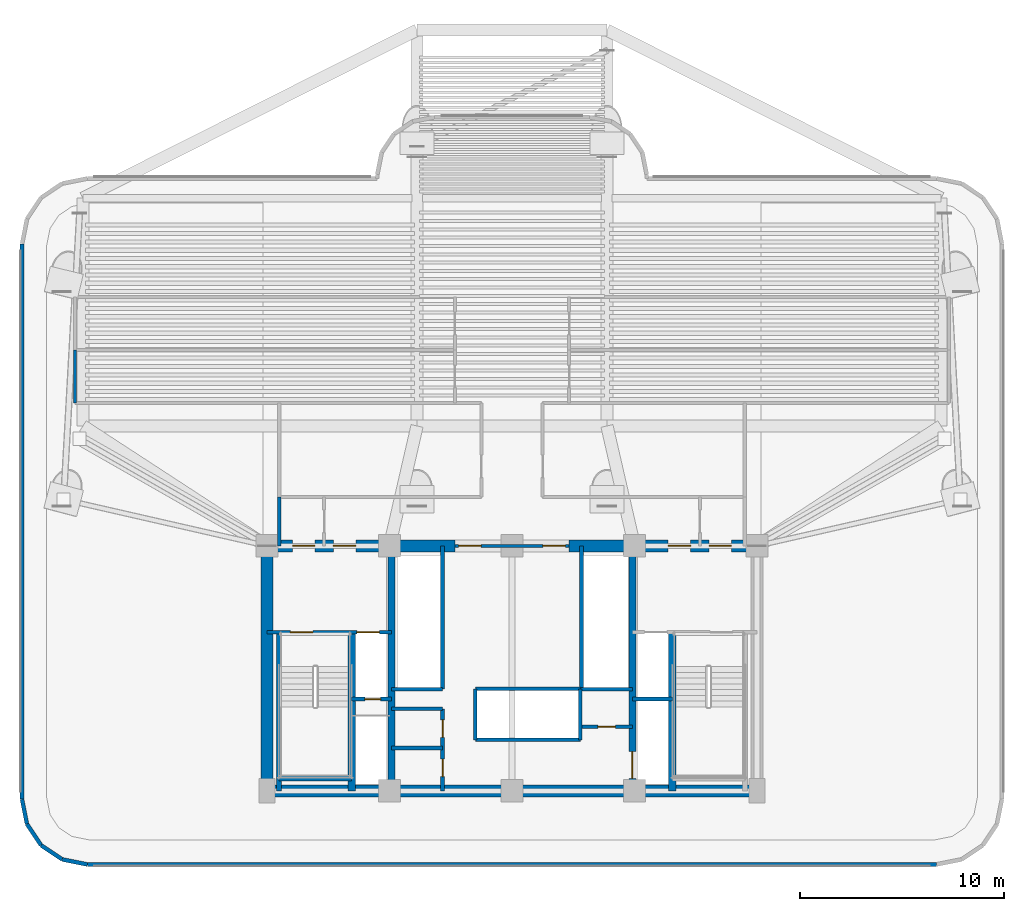
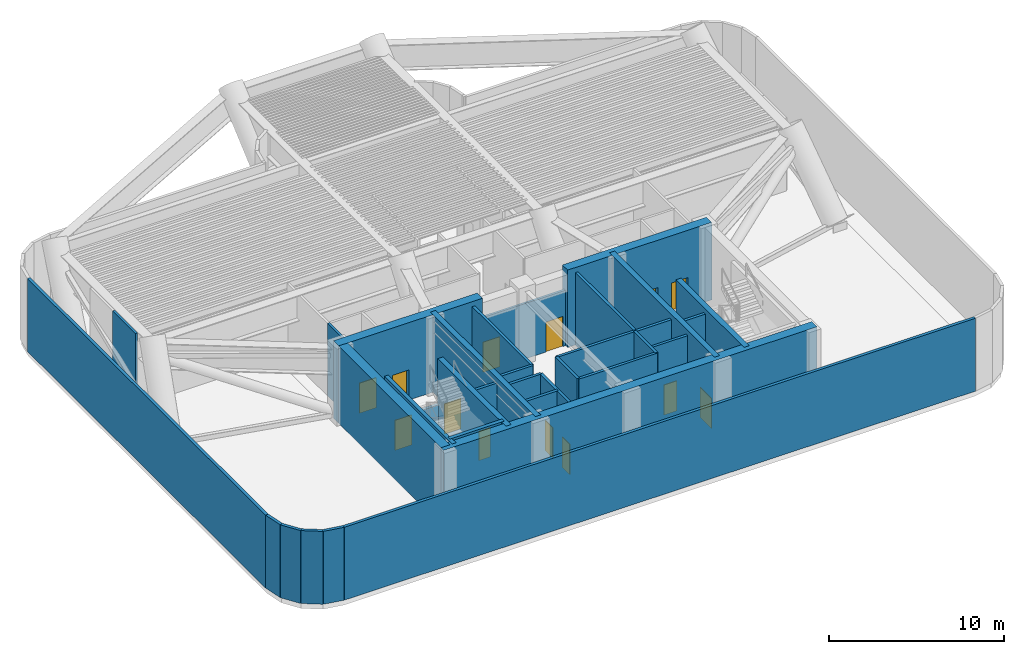
# One storey, part 5 of 11: 34 walls, 13 doors, 13 openings.
"""IFC4 building model written with IfcOpenShell, lengths in metres."""

from ifc_helpers import new_model, si_unit, direction, frame, frame_2d, origin, origin_2d, place, context, subcontext, project, spatial, rectangle, extrude, source, transform, mapped, material, layer, layer_set, type_object, element, fill, save


model = new_model("IFC4")

# Units and contexts
model_context = context("Model", 3, precision=1e-05, world=origin(), true_north=direction((0.0, 1.0)))
body_context = subcontext(model_context, "Body", "Model", "MODEL_VIEW")
ifc_project = project(units=[si_unit("LENGTHUNIT", "METRE"), si_unit("AREAUNIT", "SQUARE_METRE"), si_unit("VOLUMEUNIT", "CUBIC_METRE"), si_unit("PLANEANGLEUNIT", "RADIAN"), si_unit("MASSUNIT", "GRAM", prefix="KILO")], contexts=[model_context])

# Site, building, storey
site_placement = place(None, origin())
site = spatial("IfcSite", under=ifc_project, at=site_placement, CompositionType="ELEMENT")
building_placement = place(site_placement, origin())
building = spatial("IfcBuilding", under=site, at=building_placement, Name="Brelvock Crest Care Tower", CompositionType="ELEMENT")
storey_placement = place(building_placement, frame((0.0, 0.0, 79.919921875)))
storey = spatial("IfcBuildingStorey", under=building, at=storey_placement, Name="L20", CompositionType="ELEMENT", Elevation=79.919921875)

# Walls
ifc_material_1 = material(Name="Concrete S80 (80 MPa)", Category="concrete")
ifc_layer_1 = layer(ifc_material_1, 0.60009765625, Name="WL-CS1")
ifc_layer_set_1 = layer_set([ifc_layer_1], Name="Concrete S80 (80 MPa)")
wall_type_1 = type_object("IfcWallType", Name="WL-CS1", PredefinedType="SHEAR", material=ifc_layer_set_1)
wall_1_placement = place(storey_placement, frame((48.300048828125, 6.0, 0.0), z_axis=(0.0, 0.0, 1.0), x_axis=(-1.0, 0.0, 0.0)))
element("IfcWall", 1, at=wall_1_placement, inside=storey, type_object=wall_type_1, Name="L20 Core South Shear Wall", PredefinedType="SHEAR", context=body_context, shape_type="SweptSolid", body=[
    extrude(rectangle(XDim=24.60009765625, YDim=0.60009765625, at=frame_2d((12.300048828125, 0.0))), origin(), (0.0, 0.0, 1.0), 5.400146484375),
])
wall_2_placement = place(storey_placement, frame((24.0, 6.0, 0.0), z_axis=(0.0, 0.0, 1.0), x_axis=(0.0, 1.0, 0.0)))
element("IfcWall", 2, at=wall_2_placement, inside=storey, type_object=wall_type_1, Name="L20 Core West Shear Wall", PredefinedType="SHEAR", context=body_context, shape_type="SweptSolid", body=[
    extrude(rectangle(XDim=12.0, YDim=0.60009765625, at=frame_2d((6.0, 0.0))), origin(), (0.0, 0.0, 1.0), 5.400146484375),
])

# Wall, openings, doors
wall_3_placement = place(storey_placement, frame((23.699951171875, 18.0, 0.0), z_axis=(0.0, 0.0, 1.0), x_axis=(1.0, 0.0, 0.0)))
wall_3 = element("IfcWall", 3, at=wall_3_placement, inside=storey, type_object=wall_type_1, Name="L20 Core North-West Shear Wall", PredefinedType="SHEAR", context=body_context, shape_type="SweptSolid", body=[
    extrude(rectangle(XDim=9.5, YDim=0.60009765625, at=frame_2d((4.75, 0.0))), origin(), (0.0, 0.0, 1.0), 5.400146484375),
])
opening_1_placement = place(wall_3_placement, frame((1.550048828125, 0.0, 0.0)))
opening_1 = element("IfcOpeningElement", 4, at=opening_1_placement, cuts=wall_3, Name="Opening FD-1", PredefinedType="OPENING", context=body_context, shape_type="SweptSolid", body=[
    extrude(rectangle(XDim=1.10009765625, YDim=2.10009765625, at=origin_2d()), frame((0.550048828125, 0.31005859375, 1.050048828125), z_axis=(0.0, -1.0, 0.0), x_axis=(1.0, 0.0, 0.0)), (0.0, 0.0, 1.0), 0.6201171875),
])
opening_2_placement = place(wall_3_placement, frame((3.550048828125, 0.0, 0.0)))
opening_2 = element("IfcOpeningElement", 5, at=opening_2_placement, cuts=wall_3, Name="Opening FD-1", PredefinedType="OPENING", context=body_context, shape_type="SweptSolid", body=[
    extrude(rectangle(XDim=1.10009765625, YDim=2.10009765625, at=origin_2d()), frame((0.550048828125, 0.31005859375, 1.050048828125), z_axis=(0.0, -1.0, 0.0), x_axis=(1.0, 0.0, 0.0)), (0.0, 0.0, 1.0), 0.6201171875),
])
ifc_material_2 = material(Name="Steel Grade 350", Category="steel")
door_type_1 = type_object("IfcDoorType", Name="DR-FFL1", OperationType="NOTDEFINED", PredefinedType="DOOR", material=ifc_material_2)
shared_shape_1 = source(origin(), body_context, "Body", "SweptSolid", [
    extrude(rectangle(XDim=1.10009765625, YDim=2.10009765625, at=origin_2d()), frame((0.550048828125, 0.02490234375, 1.050048828125), z_axis=(0.0, -1.0, 0.0), x_axis=(1.0, 0.0, 0.0)), (0.0, 0.0, 1.0), 0.050048828125),
])
door_1_placement = place(opening_1_placement, origin())
door_1 = element("IfcDoor", 6, at=door_1_placement, inside=storey, type_object=door_type_1, Name="L20 Firefighting Lobby FFL-1 Refuge Door", OperationType="SINGLE_SWING_LEFT", OverallHeight=2.10009765625, OverallWidth=1.10009765625, PredefinedType="DOOR", context=body_context, shape_type="MappedRepresentation", body=[
    mapped(shared_shape_1, transform((0.0, 0.0, 0.0), x_axis=(1.0, 0.0, 0.0), y_axis=(0.0, 1.0, 0.0), z_axis=(0.0, 0.0, 1.0), scale=1.0)),
])
fill(opening_1, door_1)
door_2_placement = place(opening_2_placement, origin())
door_2 = element("IfcDoor", 7, at=door_2_placement, inside=storey, type_object=door_type_1, Name="L20 Firefighting Lobby FFL-1 Corridor Exit Door", OperationType="SINGLE_SWING_RIGHT", OverallHeight=2.10009765625, OverallWidth=1.10009765625, PredefinedType="DOOR", context=body_context, shape_type="MappedRepresentation", body=[
    mapped(shared_shape_1, transform((0.0, 0.0, 0.0), x_axis=(1.0, 0.0, 0.0), y_axis=(0.0, 1.0, 0.0), z_axis=(0.0, 0.0, 1.0), scale=1.0)),
])
fill(opening_2, door_2)

wall_4_placement = place(storey_placement, frame((38.800048828125, 18.0, 0.0), z_axis=(0.0, 0.0, 1.0), x_axis=(1.0, 0.0, 0.0)))
wall_4 = element("IfcWall", 8, at=wall_4_placement, inside=storey, type_object=wall_type_1, Name="L20 Core North-East Shear Wall", PredefinedType="SHEAR", context=body_context, shape_type="SweptSolid", body=[
    extrude(rectangle(XDim=9.5, YDim=0.60009765625, at=frame_2d((4.75, 0.0))), origin(), (0.0, 0.0, 1.0), 5.400146484375),
])
opening_3_placement = place(wall_4_placement, frame((4.85009765625, 0.0, 0.0)))
opening_3 = element("IfcOpeningElement", 9, at=opening_3_placement, cuts=wall_4, Name="Opening FD-1", PredefinedType="OPENING", context=body_context, shape_type="SweptSolid", body=[
    extrude(rectangle(XDim=1.10009765625, YDim=2.10009765625, at=origin_2d()), frame((0.550048828125, 0.31005859375, 1.050048828125), z_axis=(0.0, -1.0, 0.0), x_axis=(1.0, 0.0, 0.0)), (0.0, 0.0, 1.0), 0.6201171875),
])
opening_4_placement = place(wall_4_placement, frame((6.85009765625, 0.0, 0.0)))
opening_4 = element("IfcOpeningElement", 10, at=opening_4_placement, cuts=wall_4, Name="Opening FD-1", PredefinedType="OPENING", context=body_context, shape_type="SweptSolid", body=[
    extrude(rectangle(XDim=1.10009765625, YDim=2.10009765625, at=origin_2d()), frame((0.550048828125, 0.31005859375, 1.050048828125), z_axis=(0.0, -1.0, 0.0), x_axis=(1.0, 0.0, 0.0)), (0.0, 0.0, 1.0), 0.6201171875),
])
door_3_placement = place(opening_3_placement, origin())
door_3 = element("IfcDoor", 11, at=door_3_placement, inside=storey, type_object=door_type_1, Name="L20 Firefighting Lobby FFL-2 Corridor Exit Door", OperationType="SINGLE_SWING_LEFT", OverallHeight=2.10009765625, OverallWidth=1.10009765625, PredefinedType="DOOR", context=body_context, shape_type="MappedRepresentation", body=[
    mapped(shared_shape_1, transform((0.0, 0.0, 0.0), x_axis=(1.0, 0.0, 0.0), y_axis=(0.0, 1.0, 0.0), z_axis=(0.0, 0.0, 1.0), scale=1.0)),
])
fill(opening_3, door_3)
door_4_placement = place(opening_4_placement, origin())
door_4 = element("IfcDoor", 12, at=door_4_placement, inside=storey, type_object=door_type_1, Name="L20 Firefighting Lobby FFL-2 Refuge Door", OperationType="SINGLE_SWING_RIGHT", OverallHeight=2.10009765625, OverallWidth=1.10009765625, PredefinedType="DOOR", context=body_context, shape_type="MappedRepresentation", body=[
    mapped(shared_shape_1, transform((0.0, 0.0, 0.0), x_axis=(1.0, 0.0, 0.0), y_axis=(0.0, 1.0, 0.0), z_axis=(0.0, 0.0, 1.0), scale=1.0)),
])
fill(opening_4, door_4)

# Wall
ifc_layer_2 = layer(ifc_material_1, 0.35009765625, Name="WL-CS5")
ifc_layer_set_2 = layer_set([ifc_layer_2], Name="Concrete S80 (80 MPa)")
wall_type_2 = type_object("IfcWallType", Name="WL-CS5", PredefinedType="SHEAR", material=ifc_layer_set_2)
wall_5_placement = place(storey_placement, frame((30.10009765625, 6.0, 0.0), z_axis=(0.0, 0.0, 1.0), x_axis=(0.0, 1.0, 0.0)))
element("IfcWall", 13, at=wall_5_placement, inside=storey, type_object=wall_type_2, Name="L20 Core Internal Web Wall West", PredefinedType="SHEAR", context=body_context, shape_type="SweptSolid", body=[
    extrude(rectangle(XDim=12.0, YDim=0.35009765625, at=frame_2d((6.0, 0.0))), origin(), (0.0, 0.0, 1.0), 5.400146484375),
])

# Wall, opening, door
wall_6_placement = place(storey_placement, frame((41.89990234375, 18.0, 0.0), z_axis=(0.0, 0.0, 1.0), x_axis=(0.0, -1.0, 0.0)))
wall_6 = element("IfcWall", 14, at=wall_6_placement, inside=storey, type_object=wall_type_2, Name="L20 Core Internal Web Wall East", PredefinedType="SHEAR", context=body_context, shape_type="SweptSolid", body=[
    extrude(rectangle(XDim=12.0, YDim=0.35009765625, at=frame_2d((6.0, 0.0))), origin(), (0.0, 0.0, 1.0), 5.400146484375),
])
opening_5_placement = place(wall_6_placement, frame((10.080078125, 0.0, 0.0)))
opening_5 = element("IfcOpeningElement", 15, at=opening_5_placement, cuts=wall_6, Name="Opening LD-S", PredefinedType="OPENING", context=body_context, shape_type="SweptSolid", body=[
    extrude(rectangle(XDim=1.300048828125, YDim=2.10009765625, at=origin_2d()), frame((0.64990234375, 0.18505859375, 1.050048828125), z_axis=(0.0, -1.0, 0.0), x_axis=(1.0, 0.0, 0.0)), (0.0, 0.0, 1.0), 0.3701171875),
])
door_type_2 = type_object("IfcDoorType", Name="DR-LDS1", OperationType="NOTDEFINED", PredefinedType="DOOR", material=ifc_material_2)
shared_shape_2 = source(origin(), body_context, "Body", "SweptSolid", [
    extrude(rectangle(XDim=1.300048828125, YDim=2.10009765625, at=origin_2d()), frame((0.64990234375, 0.02490234375, 1.050048828125), z_axis=(0.0, -1.0, 0.0), x_axis=(1.0, 0.0, 0.0)), (0.0, 0.0, 1.0), 0.050048828125),
])
door_5_placement = place(opening_5_placement, origin())
door_5 = element("IfcDoor", 16, at=door_5_placement, inside=storey, type_object=door_type_2, Name="L20 Clinical Bed Lift SL-1 Landing Door", OperationType="SLIDING_TO_LEFT", OverallHeight=2.10009765625, OverallWidth=1.300048828125, PredefinedType="DOOR", context=body_context, shape_type="MappedRepresentation", body=[
    mapped(shared_shape_2, transform((0.0, 0.0, 0.0), x_axis=(1.0, 0.0, 0.0), y_axis=(0.0, 1.0, 0.0), z_axis=(0.0, 0.0, 1.0), scale=1.0)),
])
fill(opening_5, door_5)

# Walls
for number, where, z_axis, x_axis, name in (
    (17, (28.14990234375, 6.0, 0.0), (0.0, 0.0, 1.0), (0.0, 1.0, 0.0), "L20 Core Stair ST-1 East Shear Wall"),
    (18, (43.85009765625, 6.0, 0.0), (0.0, 0.0, 1.0), (0.0, 1.0, 0.0), "L20 Core Stair ST-2 West Shear Wall"),
):
    element("IfcWall", number, at=place(storey_placement, frame(where, z_axis=z_axis, x_axis=x_axis)), inside=storey, type_object=wall_type_2, Name=name, PredefinedType="SHEAR", context=body_context, shape_type="SweptSolid", body=[
        extrude(rectangle(XDim=7.780029296875, YDim=0.35009765625, at=frame_2d((3.89013671875, 0.0))), origin(), (0.0, 0.0, 1.0), 5.400146484375),
    ])
ifc_layer_3 = layer(ifc_material_1, 0.25, Name="WL-CS6")
ifc_layer_set_3 = layer_set([ifc_layer_3], Name="Concrete S80 (80 MPa)")
wall_type_3 = type_object("IfcWallType", Name="WL-CS6", PredefinedType="SHEAR", material=ifc_layer_set_3)
wall_7_placement = place(storey_placement, frame((24.580078125, 6.0, 0.0), z_axis=(0.0, 0.0, 1.0), x_axis=(0.0, 1.0, 0.0)))
element("IfcWall", 19, at=wall_7_placement, inside=storey, type_object=wall_type_3, Name="L20 Core Stair ST-1 West Shear Wall", PredefinedType="SHEAR", context=body_context, shape_type="SweptSolid", body=[
    extrude(rectangle(XDim=7.780029296875, YDim=0.25, at=frame_2d((3.89013671875, 0.0))), origin(), (0.0, 0.0, 1.0), 5.400146484375),
])
wall_8_placement = place(storey_placement, frame((24.580078125, 6.6201171875, 0.0), z_axis=(0.0, 0.0, 1.0), x_axis=(1.0, 0.0, 0.0)))
element("IfcWall", 20, at=wall_8_placement, inside=storey, type_object=wall_type_3, Name="L20 Core Stair ST-1 South Shear Wall", PredefinedType="SHEAR", context=body_context, shape_type="SweptSolid", body=[
    extrude(rectangle(XDim=3.56982421875, YDim=0.25, at=frame_2d((1.784912109375, 0.0))), origin(), (0.0, 0.0, 1.0), 5.400146484375),
])
ifc_material_3 = material(Name="Precast concrete N40 (40 MPa)", Category="concrete")
ifc_layer_4 = layer(ifc_material_3, 0.195068359375, Name="WL-EX3")
ifc_layer_set_4 = layer_set([ifc_layer_4], Name="Precast concrete N40 (40 MPa)")
wall_type_4 = type_object("IfcWallType", Name="WL-EX3", PredefinedType="SOLIDWALL", material=ifc_layer_set_4)
wall_9_placement = place(storey_placement, frame((56.800048828125, 2.39990234375, 0.0), z_axis=(0.0, 0.0, 1.0), x_axis=(-1.0, 0.0, 0.0)))
element("IfcWall", 21, at=wall_9_placement, inside=storey, type_object=wall_type_4, Name="L20 Crown and Plant Cladding Wall 08", PredefinedType="SOLIDWALL", context=body_context, shape_type="SweptSolid", body=[
    extrude(rectangle(XDim=41.60009765625, YDim=0.195068359375, at=frame_2d((20.800048828125, 0.0))), origin(), (0.0, 0.0, 1.0), 5.080078125),
])
for number, where, z_axis, x_axis, name in (
    (22, (15.199951171875, 2.39990234375, 0.0), (0.0, 0.0, 1.0), (-0.980775717779, 0.195138390419, 0.0), "L20 Crown and Plant Cladding Wall 09"),
    (23, (13.975341796875, 2.6435546875, 0.0), (0.0, 0.0, 1.0), (-0.831387912822, 0.555692485475, 0.0), "L20 Crown and Plant Cladding Wall 10"),
    (24, (12.937255859375, 3.33740234375, 0.0), (0.0, 0.0, 1.0), (-0.555557312883, 0.831478245117, 0.0), "L20 Crown and Plant Cladding Wall 11"),
    (25, (12.24365234375, 4.37548828125, 0.0), (0.0, 0.0, 1.0), (-0.195138390419, 0.980775717779, 0.0), "L20 Crown and Plant Cladding Wall 12"),
):
    element("IfcWall", number, at=place(storey_placement, frame(where, z_axis=z_axis, x_axis=x_axis)), inside=storey, type_object=wall_type_4, Name=name, PredefinedType="SOLIDWALL", context=body_context, shape_type="SweptSolid", body=[
        extrude(rectangle(XDim=1.24853515625, YDim=0.195068359375, at=frame_2d((0.624267578125, 0.0))), origin(), (0.0, 0.0, 1.0), 5.080078125),
    ])
wall_10_placement = place(storey_placement, frame((12.0, 5.60009765625, 0.0), z_axis=(0.0, 0.0, 1.0), x_axis=(0.0, 1.0, 0.0)))
element("IfcWall", 26, at=wall_10_placement, inside=storey, type_object=wall_type_4, Name="L20 Crown and Plant Cladding Wall 13", PredefinedType="SOLIDWALL", context=body_context, shape_type="SweptSolid", body=[
    extrude(rectangle(XDim=27.199951171875, YDim=0.195068359375, at=frame_2d((13.60009765625, 0.0))), origin(), (0.0, 0.0, 1.0), 5.080078125),
])

# Wall, openings, doors
ifc_material_4 = material(Name="Masonry Blockwork Acoustic Partition", Category="masonry")
ifc_layer_5 = layer(ifc_material_4, 0.14990234375, Name="WL-INT1")
ifc_layer_set_5 = layer_set([ifc_layer_5], Name="Masonry Blockwork Acoustic Partition")
wall_type_5 = type_object("IfcWallType", Name="WL-INT1", PredefinedType="PARTITIONING", material=ifc_layer_set_5)
wall_11_placement = place(storey_placement, frame((33.199951171875, 18.0, 0.0), z_axis=(0.0, 0.0, 1.0), x_axis=(1.0, 0.0, 0.0)))
wall_11 = element("IfcWall", 27, at=wall_11_placement, inside=storey, type_object=wall_type_5, Name="L20 Interior Wall WL-CORE-NPORT-L20", PredefinedType="PARTITIONING", context=body_context, shape_type="SweptSolid", body=[
    extrude(rectangle(XDim=5.60009765625, YDim=0.14990234375, at=frame_2d((2.800048828125, 0.0))), origin(), (0.0, 0.0, 1.0), 3.864990234375),
])
opening_6_placement = place(wall_11_placement, frame((0.18994140625, 0.0, 0.0)))
opening_6 = element("IfcOpeningElement", 28, at=opening_6_placement, cuts=wall_11, Name="Opening FD-1", PredefinedType="OPENING", context=body_context, shape_type="SweptSolid", body=[
    extrude(rectangle(XDim=1.10009765625, YDim=2.10009765625, at=origin_2d()), frame((0.550048828125, 0.0849609375, 1.050048828125), z_axis=(0.0, -1.0, 0.0), x_axis=(1.0, 0.0, 0.0)), (0.0, 0.0, 1.0), 0.169921875),
])
opening_7_placement = place(wall_11_placement, frame((4.31005859375, 0.0, 0.0)))
opening_7 = element("IfcOpeningElement", 29, at=opening_7_placement, cuts=wall_11, Name="Opening FD-1", PredefinedType="OPENING", context=body_context, shape_type="SweptSolid", body=[
    extrude(rectangle(XDim=1.10009765625, YDim=2.10009765625, at=origin_2d()), frame((0.550048828125, 0.0849609375, 1.050048828125), z_axis=(0.0, -1.0, 0.0), x_axis=(1.0, 0.0, 0.0)), (0.0, 0.0, 1.0), 0.169921875),
])
door_6_placement = place(opening_6_placement, origin())
door_6 = element("IfcDoor", 30, at=door_6_placement, inside=storey, type_object=door_type_1, Name="L20 Lift Lobby North Smoke Door West", OperationType="SINGLE_SWING_LEFT", OverallHeight=2.10009765625, OverallWidth=1.10009765625, PredefinedType="DOOR", context=body_context, shape_type="MappedRepresentation", body=[
    mapped(shared_shape_1, transform((0.0, 0.0, 0.0), x_axis=(1.0, 0.0, 0.0), y_axis=(0.0, 1.0, 0.0), z_axis=(0.0, 0.0, 1.0), scale=1.0)),
])
fill(opening_6, door_6)
door_7_placement = place(opening_7_placement, origin())
door_7 = element("IfcDoor", 31, at=door_7_placement, inside=storey, type_object=door_type_1, Name="L20 Lift Lobby North Smoke Door East", OperationType="SINGLE_SWING_RIGHT", OverallHeight=2.10009765625, OverallWidth=1.10009765625, PredefinedType="DOOR", context=body_context, shape_type="MappedRepresentation", body=[
    mapped(shared_shape_1, transform((0.0, 0.0, 0.0), x_axis=(1.0, 0.0, 0.0), y_axis=(0.0, 1.0, 0.0), z_axis=(0.0, 0.0, 1.0), scale=1.0)),
])
fill(opening_7, door_7)

# Walls
wall_12_placement = place(storey_placement, frame((14.60009765625, 25.0, 0.0), z_axis=(0.0, 0.0, 1.0), x_axis=(0.0, 1.0, 0.0)))
element("IfcWall", 32, at=wall_12_placement, inside=storey, type_object=wall_type_5, Name="L20 Interior Wall WL-BX-L20-AHUW-W", PredefinedType="PARTITIONING", context=body_context, shape_type="SweptSolid", body=[
    extrude(rectangle(XDim=2.60009765625, YDim=0.14990234375, at=frame_2d((1.300048828125, 0.0))), origin(), (0.0, 0.0, 1.0), 5.050048828125),
])
wall_13_placement = place(storey_placement, frame((24.60009765625, 18.0, 0.0), z_axis=(0.0, 0.0, 1.0), x_axis=(0.0, 1.0, 0.0)))
element("IfcWall", 33, at=wall_13_placement, inside=storey, type_object=wall_type_5, Name="L20 Interior Wall WL-BX-L20-REFW-W", PredefinedType="PARTITIONING", context=body_context, shape_type="SweptSolid", body=[
    extrude(rectangle(XDim=2.39990234375, YDim=0.14990234375, at=frame_2d((1.199951171875, 0.0))), origin(), (0.0, 0.0, 1.0), 5.050048828125),
])
ifc_layer_6 = layer(ifc_material_4, 0.179931640625, Name="WL-SHF1")
ifc_layer_set_6 = layer_set([ifc_layer_6], Name="Masonry Blockwork Acoustic Partition")
wall_type_6 = type_object("IfcWallType", Name="WL-SHF1", PredefinedType="PARTITIONING", material=ifc_layer_set_6)
for number, where, z_axis, x_axis, name in (
    (34, (34.199951171875, 11.0, 0.0), (0.0, 0.0, 1.0), (1.0, 0.0, 0.0), "L20 Interior Wall WL-PLM-SHF-L20"),
    (35, (34.199951171875, 8.5, 0.0), (0.0, 0.0, 1.0), (1.0, 0.0, 0.0), "L20 Interior Wall WL-PLM-S-L20"),
):
    element("IfcWall", number, at=place(storey_placement, frame(where, z_axis=z_axis, x_axis=x_axis)), inside=storey, type_object=wall_type_6, Name=name, PredefinedType="PARTITIONING", context=body_context, shape_type="SweptSolid", body=[
        extrude(rectangle(XDim=5.150146484375, YDim=0.179931640625, at=frame_2d((2.5751953125, 0.0))), origin(), (0.0, 0.0, 1.0), 5.050048828125),
    ])
for number, where, z_axis, x_axis, name in (
    (36, (34.199951171875, 8.5, 0.0), (0.0, 0.0, 1.0), (0.0, 1.0, 0.0), "L20 Interior Wall WL-PLM-W-L20"),
    (37, (39.35009765625, 8.5, 0.0), (0.0, 0.0, 1.0), (0.0, 1.0, 0.0), "L20 Interior Wall WL-PLM-E-L20"),
):
    element("IfcWall", number, at=place(storey_placement, frame(where, z_axis=z_axis, x_axis=x_axis)), inside=storey, type_object=wall_type_6, Name=name, PredefinedType="PARTITIONING", context=body_context, shape_type="SweptSolid", body=[
        extrude(rectangle(XDim=2.5, YDim=0.179931640625, at=frame_2d((1.25, 0.0))), origin(), (0.0, 0.0, 1.0), 5.050048828125),
    ])
wall_14_placement = place(storey_placement, frame((39.39990234375, 11.0, 0.0), z_axis=(0.0, 0.0, 1.0), x_axis=(0.0, 1.0, 0.0)))
element("IfcWall", 38, at=wall_14_placement, inside=storey, type_object=wall_type_6, Name="L20 Interior Wall WL-PLH-SHF-L20", PredefinedType="PARTITIONING", context=body_context, shape_type="SweptSolid", body=[
    extrude(rectangle(XDim=7.0, YDim=0.179931640625, at=frame_2d((3.5, 0.0))), origin(), (0.0, 0.0, 1.0), 5.050048828125),
])
wall_15_placement = place(storey_placement, frame((30.10009765625, 10.97998046875, 0.0), z_axis=(0.0, 0.0, 1.0), x_axis=(1.0, 0.0, 0.0)))
element("IfcWall", 39, at=wall_15_placement, inside=storey, type_object=wall_type_6, Name="L20 Interior Wall WL-CSBW-N-L20", PredefinedType="PARTITIONING", context=body_context, shape_type="SweptSolid", body=[
    extrude(rectangle(XDim=2.5, YDim=0.179931640625, at=frame_2d((1.25, 0.0))), origin(), (0.0, 0.0, 1.0), 5.050048828125),
])
wall_16_placement = place(storey_placement, frame((39.35009765625, 10.97998046875, 0.0), z_axis=(0.0, 0.0, 1.0), x_axis=(1.0, 0.0, 0.0)))
element("IfcWall", 40, at=wall_16_placement, inside=storey, type_object=wall_type_6, Name="L20 Interior Wall WL-CSBE-N-L20", PredefinedType="PARTITIONING", context=body_context, shape_type="SweptSolid", body=[
    extrude(rectangle(XDim=2.5498046875, YDim=0.179931640625, at=frame_2d((1.27490234375, 0.0))), origin(), (0.0, 0.0, 1.0), 5.050048828125),
])
for number, where, z_axis, x_axis, name in (
    (41, (30.10009765625, 8.10009765625, 0.0), (0.0, 0.0, 1.0), (1.0, 0.0, 0.0), "L20 Interior Wall WL-CSBW-SP-L20"),
    (42, (30.10009765625, 10.02001953125, 0.0), (0.0, 0.0, 1.0), (1.0, 0.0, 0.0), "L20 Interior Wall WL-CSBW-N2-L20"),
):
    element("IfcWall", number, at=place(storey_placement, frame(where, z_axis=z_axis, x_axis=x_axis)), inside=storey, type_object=wall_type_6, Name=name, PredefinedType="PARTITIONING", context=body_context, shape_type="SweptSolid", body=[
        extrude(rectangle(XDim=2.5, YDim=0.179931640625, at=frame_2d((1.25, 0.0))), origin(), (0.0, 0.0, 1.0), 5.050048828125),
    ])

# Wall, openings, doors
wall_17_placement = place(storey_placement, frame((32.60009765625, 6.0, 0.0), z_axis=(0.0, 0.0, 1.0), x_axis=(0.0, 1.0, 0.0)))
wall_17 = element("IfcWall", 43, at=wall_17_placement, inside=storey, type_object=wall_type_6, Name="L20 Interior Wall WL-CSBW-E-L20", PredefinedType="PARTITIONING", context=body_context, shape_type="SweptSolid", body=[
    extrude(rectangle(XDim=4.02001953125, YDim=0.179931640625, at=frame_2d((2.010009765625, 0.0))), origin(), (0.0, 0.0, 1.0), 5.050048828125),
])
opening_8_placement = place(wall_17_placement, frame((0.699951171875, 0.0, 0.0)))
opening_8 = element("IfcOpeningElement", 44, at=opening_8_placement, cuts=wall_17, Name="Opening ID-1", PredefinedType="OPENING", context=body_context, shape_type="SweptSolid", body=[
    extrude(rectangle(XDim=0.860107421875, YDim=2.10009765625, at=origin_2d()), frame((0.43017578125, 0.10009765625, 1.050048828125), z_axis=(0.0, -1.0, 0.0), x_axis=(1.0, 0.0, 0.0)), (0.0, 0.0, 1.0), 0.199951171875),
])
opening_9_placement = place(wall_17_placement, frame((2.6201171875, 0.0, 0.0)))
opening_9 = element("IfcOpeningElement", 45, at=opening_9_placement, cuts=wall_17, Name="Opening ID-1", PredefinedType="OPENING", context=body_context, shape_type="SweptSolid", body=[
    extrude(rectangle(XDim=0.860107421875, YDim=2.10009765625, at=origin_2d()), frame((0.43017578125, 0.10009765625, 1.050048828125), z_axis=(0.0, -1.0, 0.0), x_axis=(1.0, 0.0, 0.0)), (0.0, 0.0, 1.0), 0.199951171875),
])
ifc_material_5 = material(Name="Engineered Hardwood Timber", Category="wood")
door_type_3 = type_object("IfcDoorType", Name="DR-INT1", OperationType="NOTDEFINED", PredefinedType="DOOR", material=ifc_material_5)
shared_shape_3 = source(origin(), body_context, "Body", "SweptSolid", [
    extrude(rectangle(XDim=0.860107421875, YDim=2.10009765625, at=origin_2d()), frame((0.43017578125, 0.02490234375, 1.050048828125), z_axis=(0.0, -1.0, 0.0), x_axis=(1.0, 0.0, 0.0)), (0.0, 0.0, 1.0), 0.050048828125),
])
door_8_placement = place(opening_8_placement, origin())
door_8 = element("IfcDoor", 46, at=door_8_placement, inside=storey, type_object=door_type_3, Name="DR-CSBW1-L20", OperationType="SINGLE_SWING_LEFT", OverallHeight=2.10009765625, OverallWidth=0.860107421875, PredefinedType="DOOR", context=body_context, shape_type="MappedRepresentation", body=[
    mapped(shared_shape_3, transform((0.0, 0.0, 0.0), x_axis=(1.0, 0.0, 0.0), y_axis=(0.0, 1.0, 0.0), z_axis=(0.0, 0.0, 1.0), scale=1.0)),
])
fill(opening_8, door_8)
door_9_placement = place(opening_9_placement, origin())
door_9 = element("IfcDoor", 47, at=door_9_placement, inside=storey, type_object=door_type_3, Name="DR-CSBW2-L20", OperationType="SINGLE_SWING_RIGHT", OverallHeight=2.10009765625, OverallWidth=0.860107421875, PredefinedType="DOOR", context=body_context, shape_type="MappedRepresentation", body=[
    mapped(shared_shape_3, transform((0.0, 0.0, 0.0), x_axis=(1.0, 0.0, 0.0), y_axis=(0.0, 1.0, 0.0), z_axis=(0.0, 0.0, 1.0), scale=1.0)),
])
fill(opening_9, door_9)

# Wall, opening, door
wall_18_placement = place(storey_placement, frame((39.35009765625, 9.14990234375, 0.0), z_axis=(0.0, 0.0, 1.0), x_axis=(1.0, 0.0, 0.0)))
wall_18 = element("IfcWall", 48, at=wall_18_placement, inside=storey, type_object=wall_type_6, Name="L20 Interior Wall WL-CSBE-S-L20", PredefinedType="PARTITIONING", context=body_context, shape_type="SweptSolid", body=[
    extrude(rectangle(XDim=2.5498046875, YDim=0.179931640625, at=frame_2d((1.27490234375, 0.0))), origin(), (0.0, 0.0, 1.0), 5.050048828125),
])
opening_10_placement = place(wall_18_placement, frame((0.85009765625, 0.0, 0.0)))
opening_10 = element("IfcOpeningElement", 49, at=opening_10_placement, cuts=wall_18, Name="Opening ID-1", PredefinedType="OPENING", context=body_context, shape_type="SweptSolid", body=[
    extrude(rectangle(XDim=0.860107421875, YDim=2.10009765625, at=origin_2d()), frame((0.43017578125, 0.10009765625, 1.050048828125), z_axis=(0.0, -1.0, 0.0), x_axis=(1.0, 0.0, 0.0)), (0.0, 0.0, 1.0), 0.199951171875),
])
door_10_placement = place(opening_10_placement, origin())
door_10 = element("IfcDoor", 50, at=door_10_placement, inside=storey, type_object=door_type_3, Name="DR-CSBE-L20", OperationType="SINGLE_SWING_LEFT", OverallHeight=2.10009765625, OverallWidth=0.860107421875, PredefinedType="DOOR", context=body_context, shape_type="MappedRepresentation", body=[
    mapped(shared_shape_3, transform((0.0, 0.0, 0.0), x_axis=(1.0, 0.0, 0.0), y_axis=(0.0, 1.0, 0.0), z_axis=(0.0, 0.0, 1.0), scale=1.0)),
])
fill(opening_10, door_10)

# Wall, openings, doors
wall_19_placement = place(storey_placement, frame((24.0, 13.780029296875, 0.0), z_axis=(0.0, 0.0, 1.0), x_axis=(1.0, 0.0, 0.0)))
wall_19 = element("IfcWall", 51, at=wall_19_placement, inside=storey, type_object=wall_type_6, Name="L20 Interior Wall WL-ST1-N-L20", PredefinedType="PARTITIONING", context=body_context, shape_type="SweptSolid", body=[
    extrude(rectangle(XDim=6.10009765625, YDim=0.179931640625, at=frame_2d((3.050048828125, 0.0))), origin(), (0.0, 0.0, 1.0), 2.22900390625),
])
opening_11_placement = place(wall_19_placement, frame((1.14990234375, 0.0, 0.0)))
opening_11 = element("IfcOpeningElement", 52, at=opening_11_placement, cuts=wall_19, Name="Opening SD-1", PredefinedType="OPENING", context=body_context, shape_type="SweptSolid", body=[
    extrude(rectangle(XDim=1.10009765625, YDim=2.10009765625, at=origin_2d()), frame((0.550048828125, 0.10009765625, 1.050048828125), z_axis=(0.0, -1.0, 0.0), x_axis=(1.0, 0.0, 0.0)), (0.0, 0.0, 1.0), 0.199951171875),
])
opening_12_placement = place(wall_19_placement, frame((4.39990234375, 0.0, 0.0)))
opening_12 = element("IfcOpeningElement", 53, at=opening_12_placement, cuts=wall_19, Name="Opening LD", PredefinedType="OPENING", context=body_context, shape_type="SweptSolid", body=[
    extrude(rectangle(XDim=1.10009765625, YDim=2.10009765625, at=origin_2d()), frame((0.550048828125, 0.10009765625, 1.050048828125), z_axis=(0.0, -1.0, 0.0), x_axis=(1.0, 0.0, 0.0)), (0.0, 0.0, 1.0), 0.199951171875),
])
door_type_4 = type_object("IfcDoorType", Name="DR-ST1", OperationType="NOTDEFINED", PredefinedType="DOOR", material=ifc_material_2)
shared_shape_4 = source(origin(), body_context, "Body", "SweptSolid", [
    extrude(rectangle(XDim=1.10009765625, YDim=2.10009765625, at=origin_2d()), frame((0.550048828125, 0.02490234375, 1.050048828125), z_axis=(0.0, -1.0, 0.0), x_axis=(1.0, 0.0, 0.0)), (0.0, 0.0, 1.0), 0.050048828125),
])
door_11_placement = place(opening_11_placement, origin())
door_11 = element("IfcDoor", 54, at=door_11_placement, inside=storey, type_object=door_type_4, Name="L20 Fire Stair ST-1 Door", OperationType="SINGLE_SWING_LEFT", OverallHeight=2.10009765625, OverallWidth=1.10009765625, PredefinedType="DOOR", context=body_context, shape_type="MappedRepresentation", body=[
    mapped(shared_shape_4, transform((0.0, 0.0, 0.0), x_axis=(1.0, 0.0, 0.0), y_axis=(0.0, 1.0, 0.0), z_axis=(0.0, 0.0, 1.0), scale=1.0)),
])
fill(opening_11, door_11)
door_type_5 = type_object("IfcDoorType", Name="DR-LD1", OperationType="NOTDEFINED", PredefinedType="DOOR", material=ifc_material_2)
shared_shape_5 = source(origin(), body_context, "Body", "SweptSolid", [
    extrude(rectangle(XDim=1.10009765625, YDim=2.10009765625, at=origin_2d()), frame((0.550048828125, 0.02490234375, 1.050048828125), z_axis=(0.0, -1.0, 0.0), x_axis=(1.0, 0.0, 0.0)), (0.0, 0.0, 1.0), 0.050048828125),
])
door_12_placement = place(opening_12_placement, origin())
door_12 = element("IfcDoor", 55, at=door_12_placement, inside=storey, type_object=door_type_5, Name="L20 Firefighting Lift FFL-1 Landing Door", OperationType="SLIDING_TO_LEFT", OverallHeight=2.10009765625, OverallWidth=1.10009765625, PredefinedType="DOOR", context=body_context, shape_type="MappedRepresentation", body=[
    mapped(shared_shape_5, transform((0.0, 0.0, 0.0), x_axis=(1.0, 0.0, 0.0), y_axis=(0.0, 1.0, 0.0), z_axis=(0.0, 0.0, 1.0), scale=1.0)),
])
fill(opening_12, door_12)

# Wall, opening, door
wall_20_placement = place(storey_placement, frame((28.14990234375, 10.5, 0.0), z_axis=(0.0, 0.0, 1.0), x_axis=(1.0, 0.0, 0.0)))
wall_20 = element("IfcWall", 56, at=wall_20_placement, inside=storey, type_object=wall_type_6, Name="L20 Interior Wall WL-FFH1-S-L20", PredefinedType="PARTITIONING", context=body_context, shape_type="SweptSolid", body=[
    extrude(rectangle(XDim=1.9501953125, YDim=0.179931640625, at=frame_2d((0.97509765625, 0.0))), origin(), (0.0, 0.0, 1.0), 5.050048828125),
])
opening_13_placement = place(wall_20_placement, frame((0.64990234375, 0.0, 0.0)))
opening_13 = element("IfcOpeningElement", 57, at=opening_13_placement, cuts=wall_20, Name="Opening RD-1", PredefinedType="OPENING", context=body_context, shape_type="SweptSolid", body=[
    extrude(rectangle(XDim=0.760009765625, YDim=2.050048828125, at=origin_2d()), frame((0.3798828125, 0.10009765625, 1.02490234375), z_axis=(0.0, -1.0, 0.0), x_axis=(1.0, 0.0, 0.0)), (0.0, 0.0, 1.0), 0.199951171875),
])
door_type_6 = type_object("IfcDoorType", Name="DR-RIS1", OperationType="NOTDEFINED", PredefinedType="DOOR", material=ifc_material_2)
shared_shape_6 = source(origin(), body_context, "Body", "SweptSolid", [
    extrude(rectangle(XDim=0.760009765625, YDim=2.050048828125, at=origin_2d()), frame((0.3798828125, 0.02490234375, 1.02490234375), z_axis=(0.0, -1.0, 0.0), x_axis=(1.0, 0.0, 0.0)), (0.0, 0.0, 1.0), 0.050048828125),
])
door_13_placement = place(opening_13_placement, origin())
door_13 = element("IfcDoor", 58, at=door_13_placement, inside=storey, type_object=door_type_6, Name="L20 Wet Fire Riser Access Door", OperationType="SINGLE_SWING_LEFT", OverallHeight=2.050048828125, OverallWidth=0.760009765625, PredefinedType="DOOR", context=body_context, shape_type="MappedRepresentation", body=[
    mapped(shared_shape_6, transform((0.0, 0.0, 0.0), x_axis=(1.0, 0.0, 0.0), y_axis=(0.0, 1.0, 0.0), z_axis=(0.0, 0.0, 1.0), scale=1.0)),
])
fill(opening_13, door_13)

# Walls
wall_21_placement = place(storey_placement, frame((41.89990234375, 10.5, 0.0), z_axis=(0.0, 0.0, 1.0), x_axis=(1.0, 0.0, 0.0)))
element("IfcWall", 59, at=wall_21_placement, inside=storey, type_object=wall_type_6, Name="L20 Interior Wall WL-FFH2-S-L20", PredefinedType="PARTITIONING", context=body_context, shape_type="SweptSolid", body=[
    extrude(rectangle(XDim=1.9501953125, YDim=0.179931640625, at=frame_2d((0.97509765625, 0.0))), origin(), (0.0, 0.0, 1.0), 5.050048828125),
])
wall_22_placement = place(storey_placement, frame((32.60009765625, 11.0, 0.0), z_axis=(0.0, 0.0, 1.0), x_axis=(0.0, 1.0, 0.0)))
element("IfcWall", 60, at=wall_22_placement, inside=storey, type_object=wall_type_6, Name="L20 Interior Wall WL-PLL-SHF-L20", PredefinedType="PARTITIONING", context=body_context, shape_type="SweptSolid", body=[
    extrude(rectangle(XDim=7.0, YDim=0.179931640625, at=frame_2d((3.5, 0.0))), origin(), (0.0, 0.0, 1.0), 5.050048828125),
])

save(model, "model.ifc")
